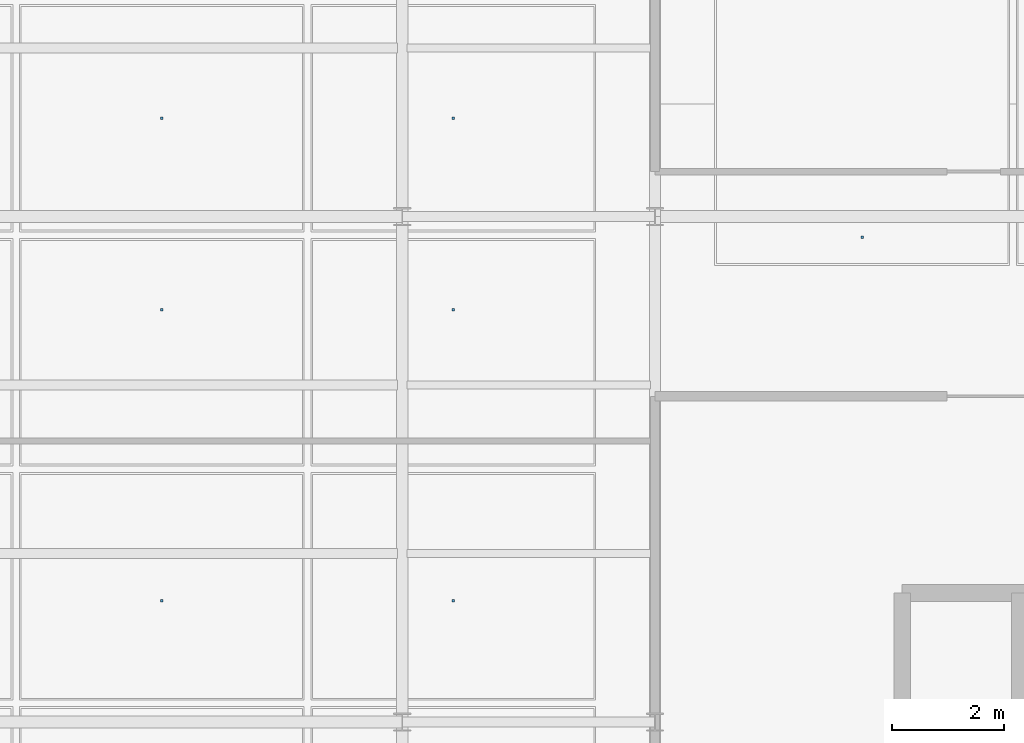
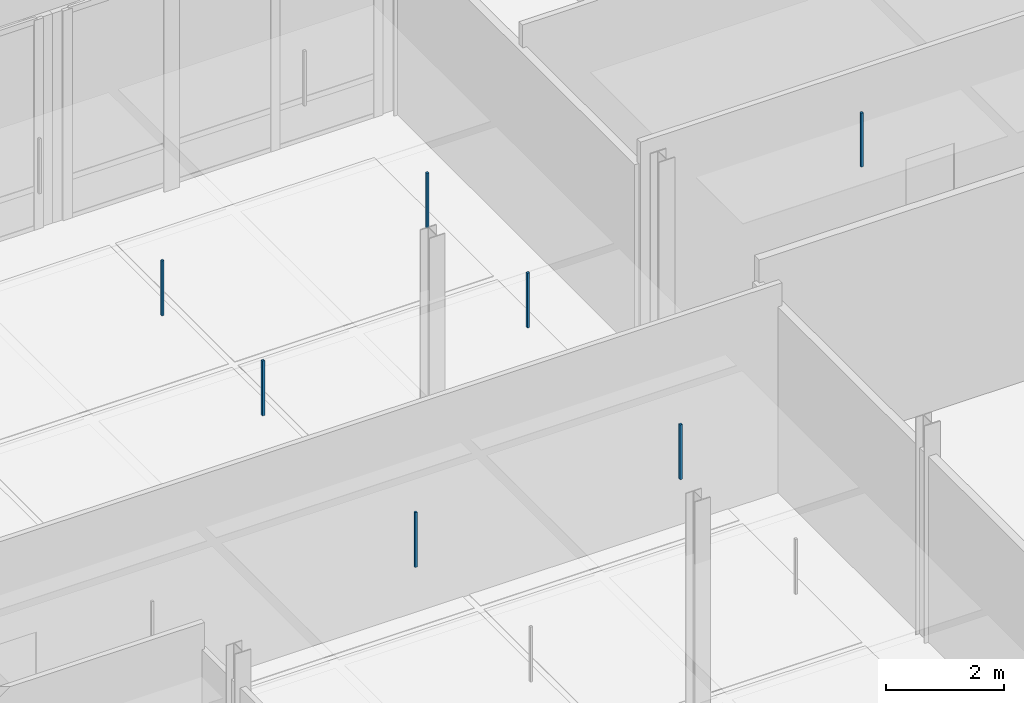
# One storey, part 66 of 89: 7 discrete accessories.
"""IFC4 building model written with IfcOpenShell, lengths in metres."""

import ifcopenshell
import ifcopenshell.guid

model = None  # the IFC model being written
_history = None  # IfcOwnerHistory: only IFC2X3 demands one
_inside = {}  # id of a spatial element -> (the spatial element, [elements in it])
_under = {}  # id of a project, library or spatial element -> (it, [spatial elements below it])
_declared = {}  # id of a project -> (the project, [libraries it declares])
_typed = {}  # id of a type object -> (the type object, [elements of that type])
_made_of = {}  # id of a material, layer set ... -> (it, [elements and type objects made of it])


def new_model(schema):
    """Start an empty IFC model of exactly this schema.

    Asked for "IFC4X3", IfcOpenShell would pick the latest addendum, in which some entities
    have other attributes; the version numbers below select the first issue.
    IFC2X3 requires an IfcOwnerHistory on every rooted entity: one is made here for all.
    """
    global model, _history
    if schema == "IFC4X3":
        model = ifcopenshell.file(schema_version=(4, 3, 0, 0))
    else:
        model = ifcopenshell.file(schema=schema)
    _inside.clear()
    _under.clear()
    _declared.clear()
    _typed.clear()
    _made_of.clear()
    _history = None
    if model.schema == "IFC2X3":
        org = make("IfcOrganization", Name="unknown")
        user = make(
            "IfcPersonAndOrganization",
            ThePerson=make("IfcPerson", FamilyName="unknown"),
            TheOrganization=org,
        )
        app = make(
            "IfcApplication",
            ApplicationDeveloper=org,
            Version="unknown",
            ApplicationFullName="unknown",
            ApplicationIdentifier="unknown",
        )
        _history = make(
            "IfcOwnerHistory",
            OwningUser=user,
            OwningApplication=app,
            ChangeAction="ADDED",
            CreationDate=0,
        )
    return model


def make(cls, **values):
    """One entity of the class cls with the attributes given. An attribute that is None is left unset."""
    return model.create_entity(
        cls, **{name: value for name, value in values.items() if value is not None}
    )


def rooted(cls, **values):
    """An entity with a GlobalId (a new one), such as an element, a storey or a relation."""
    return make(cls, GlobalId=ifcopenshell.guid.new(), OwnerHistory=_history, **values)


def si_unit(unit_type, name, prefix=None):
    """IfcSIUnit, for example si_unit("LENGTHUNIT", "METRE", prefix="MILLI")."""
    return make("IfcSIUnit", UnitType=unit_type, Prefix=prefix, Name=name)


def assignment(units):
    """IfcUnitAssignment: the units of a project."""
    return None if units is None else make("IfcUnitAssignment", Units=units)


def point(xyz):
    """IfcCartesianPoint."""
    return None if xyz is None else make("IfcCartesianPoint", Coordinates=xyz)


def direction(xyz):
    """IfcDirection."""
    return None if xyz is None else make("IfcDirection", DirectionRatios=xyz)


def frame(location, z_axis=None, x_axis=None):
    """IfcAxis2Placement3D, a coordinate frame: its origin and axes. An axis left out is left unset."""
    return make(
        "IfcAxis2Placement3D",
        Location=point(location),
        Axis=direction(z_axis),
        RefDirection=direction(x_axis),
    )


def frame_2d(location, x_axis=None):
    """IfcAxis2Placement2D, a coordinate frame in the plane: its origin and x axis."""
    return make(
        "IfcAxis2Placement2D", Location=point(location), RefDirection=direction(x_axis)
    )


def origin():
    """The frame at (0, 0, 0) with its axes left unset."""
    return frame((0.0, 0.0, 0.0))


def origin_2d():
    """The frame at (0, 0) in the plane with its x axis left unset."""
    return frame_2d((0.0, 0.0))


def place(relative_to, where):
    """IfcLocalPlacement: puts the frame where relative to a parent placement (None: the world)."""
    return make(
        "IfcLocalPlacement", PlacementRelTo=relative_to, RelativePlacement=where
    )


def context(
    kind, dimensions, precision=None, world=None, true_north=None, identifier=None
):
    """IfcGeometricRepresentationContext, for example the 3D "Model" context."""
    return make(
        "IfcGeometricRepresentationContext",
        ContextIdentifier=identifier,
        ContextType=kind,
        CoordinateSpaceDimension=dimensions,
        Precision=precision,
        WorldCoordinateSystem=world,
        TrueNorth=true_north,
    )


def subcontext(parent, identifier, kind, view, scale=None):
    """IfcGeometricRepresentationSubContext, for example "Body" below "Model"."""
    return make(
        "IfcGeometricRepresentationSubContext",
        ContextIdentifier=identifier,
        ContextType=kind,
        ParentContext=parent,
        TargetScale=scale,
        TargetView=view,
    )


def project(units=None, contexts=None):
    """IfcProject with its units and contexts."""
    return rooted(
        "IfcProject",
        Name="project",
        RepresentationContexts=contexts,
        UnitsInContext=assignment(units),
    )


def spatial(cls, under=None, at=None, **own):
    """A site, building, storey or space (cls), placed at a placement, below another one or the project."""
    s = rooted(cls, ObjectPlacement=at, **own)
    if under is not None:
        _under.setdefault(under.id(), (under, []))[1].append(s)
    return s


def profile(cls, at=None, kind="AREA", **sizes):
    """A parametric profile (cls). Its sizes go by their IFC names, for example OverallWidth=200.0."""
    return make(cls, ProfileType=kind, Position=at, **sizes)


def rectangle(**sizes):
    """IfcRectangleProfileDef."""
    return profile("IfcRectangleProfileDef", **sizes)


def extrude(swept, where, along, depth):
    """IfcExtrudedAreaSolid: the profile swept, set in the frame where, extruded along a direction by depth."""
    return make(
        "IfcExtrudedAreaSolid",
        SweptArea=swept,
        Position=where,
        ExtrudedDirection=direction(along),
        Depth=depth,
    )


def shape(context_of_items, identifier, shape_type, items):
    """IfcShapeRepresentation: the items that make up one representation, for example the "Body"."""
    return make(
        "IfcShapeRepresentation",
        ContextOfItems=context_of_items,
        RepresentationIdentifier=identifier,
        RepresentationType=shape_type,
        Items=items,
    )


def material(Name=None, Category=None):
    """IfcMaterial."""
    return make("IfcMaterial", Name=Name, Category=Category)


def made_of(thing, what):
    """Note that an element or type object is made of a material, layer set ...; save() writes the relation."""
    if what is not None:
        _made_of.setdefault(what.id(), (what, []))[1].append(thing)
    return thing


def type_object(cls, material=None, **own):
    """A type object (cls), such as IfcWallType, which elements share."""
    return made_of(rooted(cls, **own), material)


def element(
    cls,
    number,
    at=None,
    inside=None,
    cuts=None,
    type_object=None,
    material=None,
    context=None,
    identifier="Body",
    shape_type=None,
    held_by="IfcProductDefinitionShape",
    body=None,
    shapes=None,
    **own,
):
    """One element of the class cls, such as IfcWall. Its Tag is "e" and its number.

    at: its placement. inside: the storey or other place that contains it. cuts: it is an
    opening in that element (IfcRelVoidsElement). A single representation is given by context,
    identifier, shape_type and body (its items); several are given by shapes. held_by: the class
    of the entity that holds the representations. save() writes the other relations.
    """
    e = rooted(cls, Tag="e%d" % number, ObjectPlacement=at, **own)
    if body is not None:
        shapes = [shape(context, identifier, shape_type, body)]
    if shapes is not None:
        e.Representation = make(held_by, Representations=shapes)
    if inside is not None:
        _inside.setdefault(inside.id(), (inside, []))[1].append(e)
    if cuts is not None:
        rooted(
            "IfcRelVoidsElement", RelatingBuildingElement=cuts, RelatedOpeningElement=e
        )
    if type_object is not None:
        _typed.setdefault(type_object.id(), (type_object, []))[1].append(e)
    return made_of(e, material)


def aggregate(whole, parts):
    """IfcRelAggregates: a whole, such as a stair, and the parts it consists of."""
    return rooted("IfcRelAggregates", RelatingObject=whole, RelatedObjects=parts)


def save(model, path):
    """Write the relations noted so far, then the file.

    IfcRelAggregates (storeys below a building ...), IfcRelContainedInSpatialStructure (elements
    in a storey), IfcRelDefinesByType, IfcRelAssociatesMaterial and IfcRelDeclares: one each for
    every whole, place, type object, material and project.
    """
    for whole, parts in _under.values():
        aggregate(whole, parts)
    for where, things in _inside.values():
        rooted(
            "IfcRelContainedInSpatialStructure",
            RelatedElements=things,
            RelatingStructure=where,
        )
    for kind, things in _typed.values():
        rooted("IfcRelDefinesByType", RelatedObjects=things, RelatingType=kind)
    for what, things in _made_of.values():
        rooted("IfcRelAssociatesMaterial", RelatedObjects=things, RelatingMaterial=what)
    for by, libraries in _declared.values():
        rooted("IfcRelDeclares", RelatingContext=by, RelatedDefinitions=libraries)
    model.write(path)


model = new_model("IFC4")

# Units and contexts
model_context = context("Model", 3, precision=1e-05, world=origin(), true_north=direction((0.0, 1.0)))
body_context = subcontext(model_context, "Body", "Model", "MODEL_VIEW")
ifc_project = project(units=[si_unit("LENGTHUNIT", "METRE"), si_unit("AREAUNIT", "SQUARE_METRE"), si_unit("VOLUMEUNIT", "CUBIC_METRE"), si_unit("PLANEANGLEUNIT", "RADIAN"), si_unit("MASSUNIT", "GRAM", prefix="KILO"), si_unit("THERMODYNAMICTEMPERATUREUNIT", "KELVIN"), si_unit("POWERUNIT", "WATT")], contexts=[model_context])

# Site, building, storey
site_placement = place(None, origin())
site = spatial("IfcSite", under=ifc_project, at=site_placement, CompositionType="ELEMENT")
building_placement = place(site_placement, origin())
building = spatial("IfcBuilding", under=site, at=building_placement, Name="Tallowbark Science Centre", CompositionType="ELEMENT")
storey_placement = place(building_placement, frame((0.0, 0.0, 14.39990234375)))
storey = spatial("IfcBuildingStorey", under=building, at=storey_placement, Name="L03", CompositionType="ELEMENT", Elevation=14.39990234375)

# Discrete accessories
ifc_material = material(Name="Galvanised Steel Grade C350L0 (350 MPa)", Category="steel")
discrete_accessory_type = type_object("IfcDiscreteAccessoryType", Name="ACC-CLG-HNG", PredefinedType="BRACKET", material=ifc_material)
for number, where, z_axis, x_axis, name in (
    (1, (103.71875, 83.16162109375, 3.205078125), (0.0, 0.0, 1.0), (1.0, 0.0, 0.0), "Ceiling Hanger Bracket L03-1023"),
    (2, (103.71875, 88.33837890625, 3.205078125), (0.0, 0.0, 1.0), (1.0, 0.0, 0.0), "Ceiling Hanger Bracket L03-1024"),
    (3, (103.71875, 91.75, 3.205078125), (0.0, 0.0, 1.0), (1.0, 0.0, 0.0), "Ceiling Hanger Bracket L03-1025"),
    (4, (108.90625, 83.16162109375, 3.205078125), (0.0, 0.0, 1.0), (1.0, 0.0, 0.0), "Ceiling Hanger Bracket L03-1029"),
    (5, (108.90625, 88.33837890625, 3.205078125), (0.0, 0.0, 1.0), (1.0, 0.0, 0.0), "Ceiling Hanger Bracket L03-1030"),
    (6, (108.90625, 91.75, 3.205078125), (0.0, 0.0, 1.0), (1.0, 0.0, 0.0), "Ceiling Hanger Bracket L03-1031"),
):
    element("IfcDiscreteAccessory", number, at=place(storey_placement, frame(where, z_axis=z_axis, x_axis=x_axis)), inside=storey, type_object=discrete_accessory_type, Name=name, PredefinedType="BRACKET", context=body_context, shape_type="SweptSolid", body=[
        extrude(rectangle(XDim=0.044921875, YDim=0.044921875, at=origin_2d()), origin(), (0.0, 0.0, 1.0), 1.137939453125),
    ])
discrete_accessory_placement = place(storey_placement, frame((116.1875, 89.630615234375, 3.2060546875), z_axis=(0.0, 0.0, 1.0), x_axis=(1.0, 0.0, 0.0)))
element("IfcDiscreteAccessory", 7, at=discrete_accessory_placement, inside=storey, type_object=discrete_accessory_type, Name="Ceiling Hanger Bracket L03-1033", PredefinedType="BRACKET", context=body_context, shape_type="SweptSolid", body=[
    extrude(rectangle(XDim=0.044921875, YDim=0.044921875, at=origin_2d()), origin(), (0.0, 0.0, 1.0), 1.116943359375),
])

save(model, "model.ifc")
